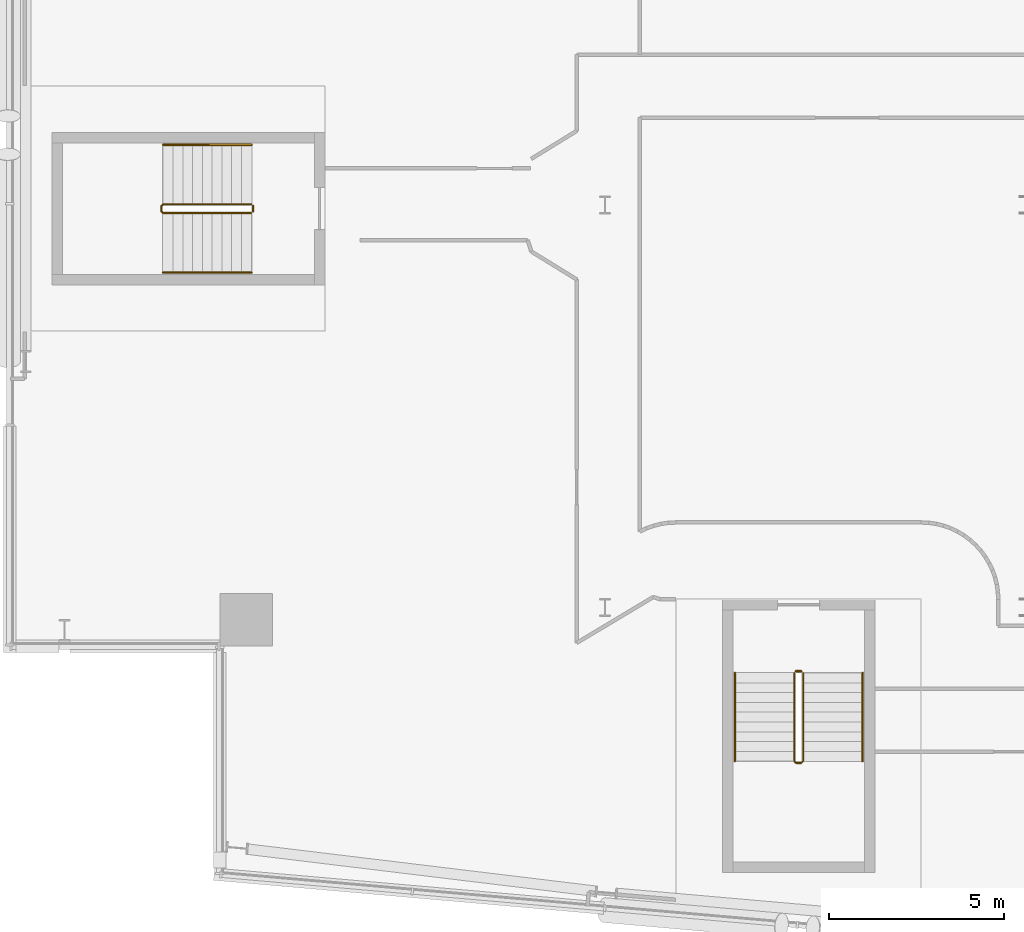
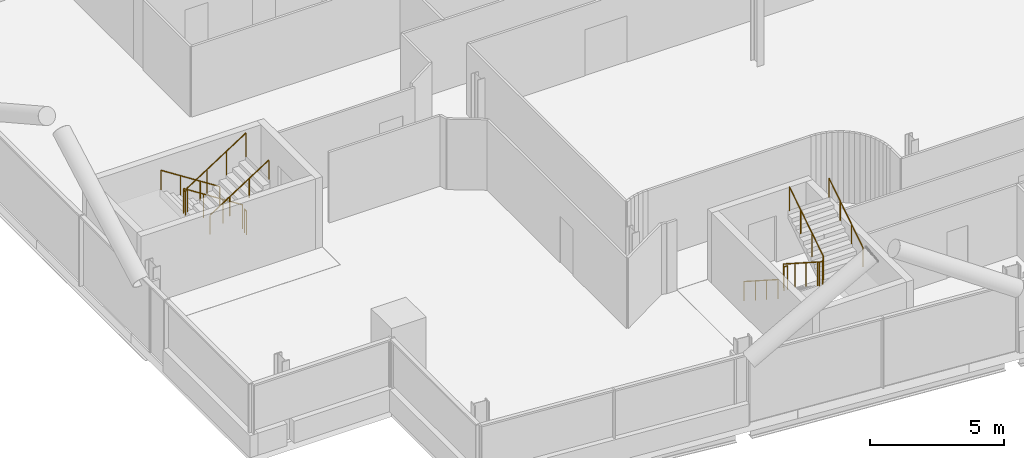
# One storey, part 27 of 29: 8 railings.
"""IFC4 building model written with IfcOpenShell, lengths in metres."""

from ifc_helpers import new_model, si_unit, direction, frame, origin, origin_2d, place, context, subcontext, project, spatial, circle, extrude, material, type_object, element, save


model = new_model("IFC4")

# Units and contexts
model_context = context("Model", 3, precision=1e-05, world=origin(), true_north=direction((0.0, 1.0)))
body_context = subcontext(model_context, "Body", "Model", "MODEL_VIEW")
ifc_project = project(units=[si_unit("LENGTHUNIT", "METRE"), si_unit("AREAUNIT", "SQUARE_METRE"), si_unit("VOLUMEUNIT", "CUBIC_METRE"), si_unit("PLANEANGLEUNIT", "RADIAN"), si_unit("MASSUNIT", "GRAM", prefix="KILO")], contexts=[model_context])

# Site, building, storey
site_placement = place(None, origin())
site = spatial("IfcSite", under=ifc_project, at=site_placement, CompositionType="ELEMENT")
building_placement = place(site_placement, origin())
building = spatial("IfcBuilding", under=site, at=building_placement, Name="Wharfspan Tower", CompositionType="ELEMENT")
storey_placement = place(building_placement, frame((0.0, 0.0, 162.699951)))
storey = spatial("IfcBuildingStorey", under=building, at=storey_placement, Name="L39", CompositionType="ELEMENT", Elevation=162.699951)

# Railings
ifc_material = material(Name="Steel S355J2", Category="steel")
railing_type_1 = type_object("IfcRailingType", Name="Stair guard 1100", PredefinedType="GUARDRAIL", material=ifc_material)
railing_1_placement = place(storey_placement, frame((13.899902, 23.024902, 0.179932)))
element("IfcRailing", 1, at=railing_1_placement, inside=storey, type_object=railing_type_1, Name="L39 ST3 stair guard 1", PredefinedType="GUARDRAIL", context=body_context, shape_type="SweptSolid", body=[
    extrude(circle(Radius=0.023926, at=origin_2d()), frame((0.0, 0.0, 1.076172), z_axis=(-0.841163, 0.0, 0.540782), x_axis=(0.0, -1.0, 0.0)), (0.0, 0.0, 1.0), 2.99585),
    extrude(circle(Radius=0.023926, at=origin_2d()), frame((-2.52002, 0.0, 2.696289), z_axis=(-0.707107, -0.707107, 0.0), x_axis=(0.707107, -0.707107, 0.0)), (0.0, 0.0, 1.0), 0.070312),
    extrude(circle(Radius=0.023926, at=origin_2d()), frame((-2.569824, -0.049805, 2.696289), z_axis=(0.0, -1.0, 0.0), x_axis=(1.0, 0.0, 0.0)), (0.0, 0.0, 1.0), 0.150146),
    extrude(circle(Radius=0.023926, at=origin_2d()), frame((-2.569824, -0.199951, 2.696289), z_axis=(0.257669, -0.258932, 0.930892), x_axis=(0.708833, 0.705372, -1e-06)), (0.0, 0.0, 1.0), 0.193359),
    extrude(circle(Radius=0.023926, at=origin_2d()), frame((-2.52002, -0.25, 2.875977), z_axis=(0.841163, 0.0, 0.540782), x_axis=(0.0, 1.0, 0.0)), (0.0, 0.0, 1.0), 2.99585),
    extrude(circle(Radius=0.020996, at=origin_2d()), origin(), (0.0, 0.0, 1.0), 1.052002),
    extrude(circle(Radius=0.020996, at=origin_2d()), frame((-0.840088, 0.0, 0.540039)), (0.0, 0.0, 1.0), 1.052002),
    extrude(circle(Radius=0.020996, at=origin_2d()), frame((-1.679932, 0.0, 1.080078)), (0.0, 0.0, 1.0), 1.052002),
    extrude(circle(Radius=0.020996, at=origin_2d()), frame((-2.52002, 0.0, 1.620117)), (0.0, 0.0, 1.0), 1.052002),
    extrude(circle(Radius=0.020996, at=origin_2d()), frame((-2.569824, -0.049805, 1.620117)), (0.0, 0.0, 1.0), 1.052002),
    extrude(circle(Radius=0.020996, at=origin_2d()), frame((-2.569824, -0.199951, 1.620117)), (0.0, 0.0, 1.0), 1.052002),
    extrude(circle(Radius=0.020996, at=origin_2d()), frame((-2.52002, -0.25, 1.800049)), (0.0, 0.0, 1.0), 1.052002),
    extrude(circle(Radius=0.020996, at=origin_2d()), frame((-1.679932, -0.25, 2.340088)), (0.0, 0.0, 1.0), 1.052002),
    extrude(circle(Radius=0.020996, at=origin_2d()), frame((-0.840088, -0.25, 2.880127)), (0.0, 0.0, 1.0), 1.052002),
    extrude(circle(Radius=0.020996, at=origin_2d()), frame((0.0, -0.25, 3.420166)), (0.0, 0.0, 1.0), 1.052002),
])
railing_2_placement = place(storey_placement, frame((13.949951, 22.975098, 0.0)))
element("IfcRailing", 2, at=railing_2_placement, inside=storey, type_object=railing_type_1, Name="L39 ST3 stair guard 2", PredefinedType="GUARDRAIL", context=body_context, shape_type="SweptSolid", body=[
    extrude(circle(Radius=0.023926, at=origin_2d()), frame((0.0, 0.0, 1.076172), z_axis=(0.0, -1.0, 0.0), x_axis=(1.0, 0.0, 0.0)), (0.0, 0.0, 1.0), 0.150146),
    extrude(circle(Radius=0.020996, at=origin_2d()), origin(), (0.0, 0.0, 1.0), 1.052002),
    extrude(circle(Radius=0.020996, at=origin_2d()), frame((0.0, -0.150146, 0.0)), (0.0, 0.0, 1.0), 1.052002),
])
railing_3_placement = place(storey_placement, frame((29.414307, 9.634277, 0.179932)))
element("IfcRailing", 3, at=railing_3_placement, inside=storey, type_object=railing_type_1, Name="L39 ST4 stair guard 1", PredefinedType="GUARDRAIL", context=body_context, shape_type="SweptSolid", body=[
    extrude(circle(Radius=0.023926, at=origin_2d()), frame((0.0, 0.0, 1.076172), z_axis=(0.0, -0.841163, 0.540782), x_axis=(1.0, 0.0, 0.0)), (0.0, 0.0, 1.0), 2.99585),
    extrude(circle(Radius=0.023926, at=origin_2d()), frame((0.0, -2.52002, 2.696289), z_axis=(0.705376, -0.708834, 0.0), x_axis=(0.708834, 0.705376, 0.0)), (0.0, 0.0, 1.0), 0.070557),
    extrude(circle(Radius=0.023926, at=origin_2d()), frame((0.049805, -2.570068, 2.696289), z_axis=(1.0, 0.0, 0.0), x_axis=(0.0, 1.0, 0.0)), (0.0, 0.0, 1.0), 0.150146),
    extrude(circle(Radius=0.023926, at=origin_2d()), frame((0.199951, -2.570068, 2.696289), z_axis=(0.258848, 0.258848, 0.930589), x_axis=(-0.707107, 0.707107, 0.0)), (0.0, 0.0, 1.0), 0.193359),
    extrude(circle(Radius=0.023926, at=origin_2d()), frame((0.25, -2.52002, 2.875977), z_axis=(0.0, 0.841163, 0.540782), x_axis=(-1.0, 0.0, 0.0)), (0.0, 0.0, 1.0), 2.99585),
    extrude(circle(Radius=0.020996, at=origin_2d()), origin(), (0.0, 0.0, 1.0), 1.052002),
    extrude(circle(Radius=0.020996, at=origin_2d()), frame((0.0, -0.840088, 0.540039)), (0.0, 0.0, 1.0), 1.052002),
    extrude(circle(Radius=0.020996, at=origin_2d()), frame((0.0, -1.679932, 1.080078)), (0.0, 0.0, 1.0), 1.052002),
    extrude(circle(Radius=0.020996, at=origin_2d()), frame((0.0, -2.52002, 1.620117)), (0.0, 0.0, 1.0), 1.052002),
    extrude(circle(Radius=0.020996, at=origin_2d()), frame((0.049805, -2.570068, 1.620117)), (0.0, 0.0, 1.0), 1.052002),
    extrude(circle(Radius=0.020996, at=origin_2d()), frame((0.199951, -2.570068, 1.620117)), (0.0, 0.0, 1.0), 1.052002),
    extrude(circle(Radius=0.020996, at=origin_2d()), frame((0.25, -2.52002, 1.800049)), (0.0, 0.0, 1.0), 1.052002),
    extrude(circle(Radius=0.020996, at=origin_2d()), frame((0.25, -1.679932, 2.340088)), (0.0, 0.0, 1.0), 1.052002),
    extrude(circle(Radius=0.020996, at=origin_2d()), frame((0.25, -0.840088, 2.880127)), (0.0, 0.0, 1.0), 1.052002),
    extrude(circle(Radius=0.020996, at=origin_2d()), frame((0.25, 0.0, 3.420166)), (0.0, 0.0, 1.0), 1.052002),
])
railing_4_placement = place(storey_placement, frame((29.464111, 9.684326, 0.0)))
element("IfcRailing", 4, at=railing_4_placement, inside=storey, type_object=railing_type_1, Name="L39 ST4 stair guard 2", PredefinedType="GUARDRAIL", context=body_context, shape_type="SweptSolid", body=[
    extrude(circle(Radius=0.023926, at=origin_2d()), frame((0.0, 0.0, 1.076172), z_axis=(1.0, 0.0, 0.0), x_axis=(0.0, 1.0, 0.0)), (0.0, 0.0, 1.0), 0.150146),
    extrude(circle(Radius=0.020996, at=origin_2d()), origin(), (0.0, 0.0, 1.0), 1.052002),
    extrude(circle(Radius=0.020996, at=origin_2d()), frame((0.150146, 0.0, 0.0)), (0.0, 0.0, 1.0), 1.052002),
])
railing_type_2 = type_object("IfcRailingType", Name="Stair handrail 900", PredefinedType="HANDRAIL", material=ifc_material)
railing_5_placement = place(storey_placement, frame((13.899902, 24.725098, 0.179932)))
element("IfcRailing", 5, at=railing_5_placement, inside=storey, type_object=railing_type_2, Name="L39 ST3 stair handrail 1", PredefinedType="HANDRAIL", context=body_context, shape_type="SweptSolid", body=[
    extrude(circle(Radius=0.023926, at=origin_2d()), frame((0.0, 0.0, 0.875977), z_axis=(-0.841163, 0.0, 0.540782), x_axis=(0.0, -1.0, 0.0)), (0.0, 0.0, 1.0), 2.99585),
    extrude(circle(Radius=0.020996, at=origin_2d()), origin(), (0.0, 0.0, 1.0), 0.851807),
    extrude(circle(Radius=0.020996, at=origin_2d()), frame((-0.840088, 0.0, 0.540039)), (0.0, 0.0, 1.0), 0.851807),
    extrude(circle(Radius=0.020996, at=origin_2d()), frame((-1.679932, 0.0, 1.080078)), (0.0, 0.0, 1.0), 0.851807),
    extrude(circle(Radius=0.020996, at=origin_2d()), frame((-2.52002, 0.0, 1.620117)), (0.0, 0.0, 1.0), 0.851807),
])
railing_6_placement = place(storey_placement, frame((11.379883, 21.074951, 1.97998)))
element("IfcRailing", 6, at=railing_6_placement, inside=storey, type_object=railing_type_2, Name="L39 ST3 stair handrail 2", PredefinedType="HANDRAIL", context=body_context, shape_type="SweptSolid", body=[
    extrude(circle(Radius=0.023926, at=origin_2d()), frame((0.0, 0.0, 0.875977), z_axis=(0.841163, 0.0, 0.540782), x_axis=(0.0, 1.0, 0.0)), (0.0, 0.0, 1.0), 2.99585),
    extrude(circle(Radius=0.020996, at=origin_2d()), origin(), (0.0, 0.0, 1.0), 0.851807),
    extrude(circle(Radius=0.020996, at=origin_2d()), frame((0.840088, 0.0, 0.540039)), (0.0, 0.0, 1.0), 0.851807),
    extrude(circle(Radius=0.020996, at=origin_2d()), frame((1.679932, 0.0, 1.080078)), (0.0, 0.0, 1.0), 0.851807),
    extrude(circle(Radius=0.020996, at=origin_2d()), frame((2.52002, 0.0, 1.620117)), (0.0, 0.0, 1.0), 0.851807),
])
railing_7_placement = place(storey_placement, frame((27.714111, 9.634277, 0.179932)))
element("IfcRailing", 7, at=railing_7_placement, inside=storey, type_object=railing_type_2, Name="L39 ST4 stair handrail 1", PredefinedType="HANDRAIL", context=body_context, shape_type="SweptSolid", body=[
    extrude(circle(Radius=0.023926, at=origin_2d()), frame((0.0, 0.0, 0.875977), z_axis=(0.0, -0.841163, 0.540782), x_axis=(1.0, 0.0, 0.0)), (0.0, 0.0, 1.0), 2.99585),
    extrude(circle(Radius=0.020996, at=origin_2d()), origin(), (0.0, 0.0, 1.0), 0.851807),
    extrude(circle(Radius=0.020996, at=origin_2d()), frame((0.0, -0.840088, 0.540039)), (0.0, 0.0, 1.0), 0.851807),
    extrude(circle(Radius=0.020996, at=origin_2d()), frame((0.0, -1.679932, 1.080078)), (0.0, 0.0, 1.0), 0.851807),
    extrude(circle(Radius=0.020996, at=origin_2d()), frame((0.0, -2.52002, 1.620117)), (0.0, 0.0, 1.0), 0.851807),
])
railing_8_placement = place(storey_placement, frame((31.364258, 7.114258, 1.97998)))
element("IfcRailing", 8, at=railing_8_placement, inside=storey, type_object=railing_type_2, Name="L39 ST4 stair handrail 2", PredefinedType="HANDRAIL", context=body_context, shape_type="SweptSolid", body=[
    extrude(circle(Radius=0.023926, at=origin_2d()), frame((0.0, 0.0, 0.875977), z_axis=(0.0, 0.841163, 0.540782), x_axis=(-1.0, 0.0, 0.0)), (0.0, 0.0, 1.0), 2.99585),
    extrude(circle(Radius=0.020996, at=origin_2d()), origin(), (0.0, 0.0, 1.0), 0.851807),
    extrude(circle(Radius=0.020996, at=origin_2d()), frame((0.0, 0.840088, 0.540039)), (0.0, 0.0, 1.0), 0.851807),
    extrude(circle(Radius=0.020996, at=origin_2d()), frame((0.0, 1.679932, 1.080078)), (0.0, 0.0, 1.0), 0.851807),
    extrude(circle(Radius=0.020996, at=origin_2d()), frame((0.0, 2.52002, 1.620117)), (0.0, 0.0, 1.0), 0.851807),
])

save(model, "model.ifc")
